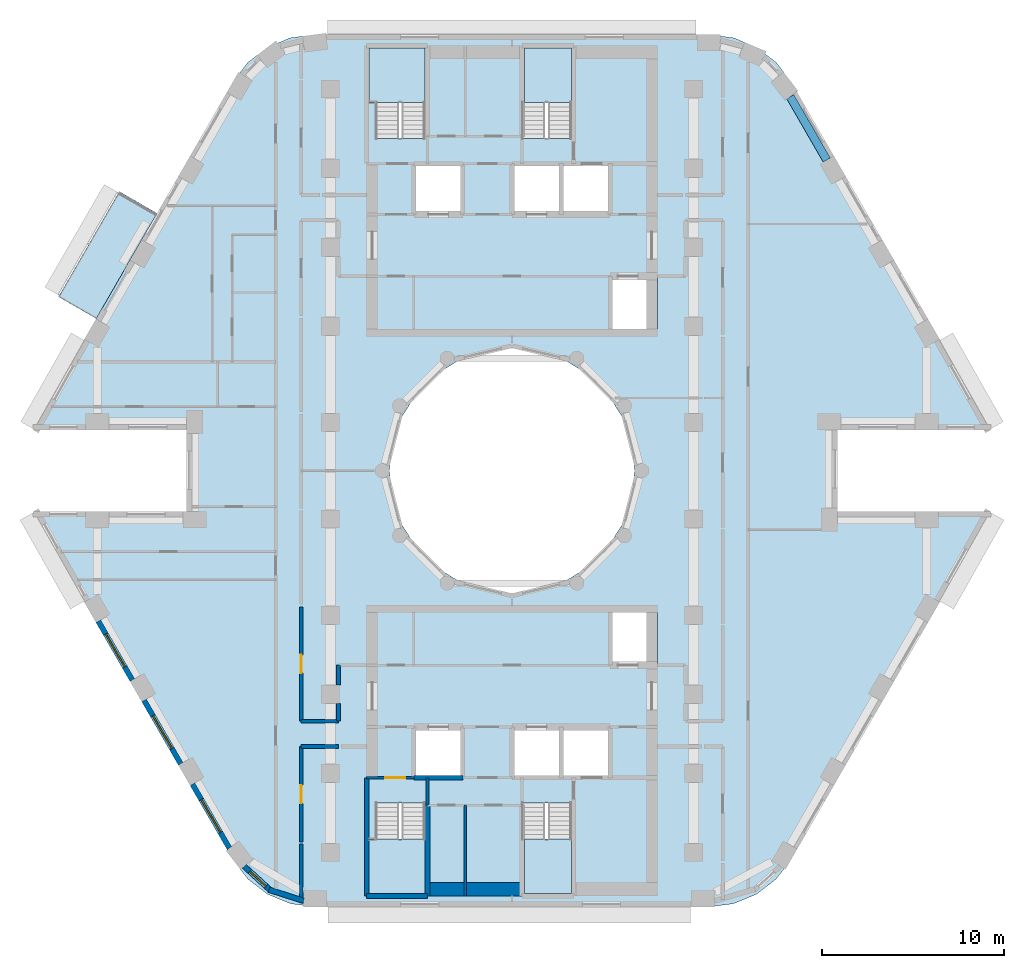
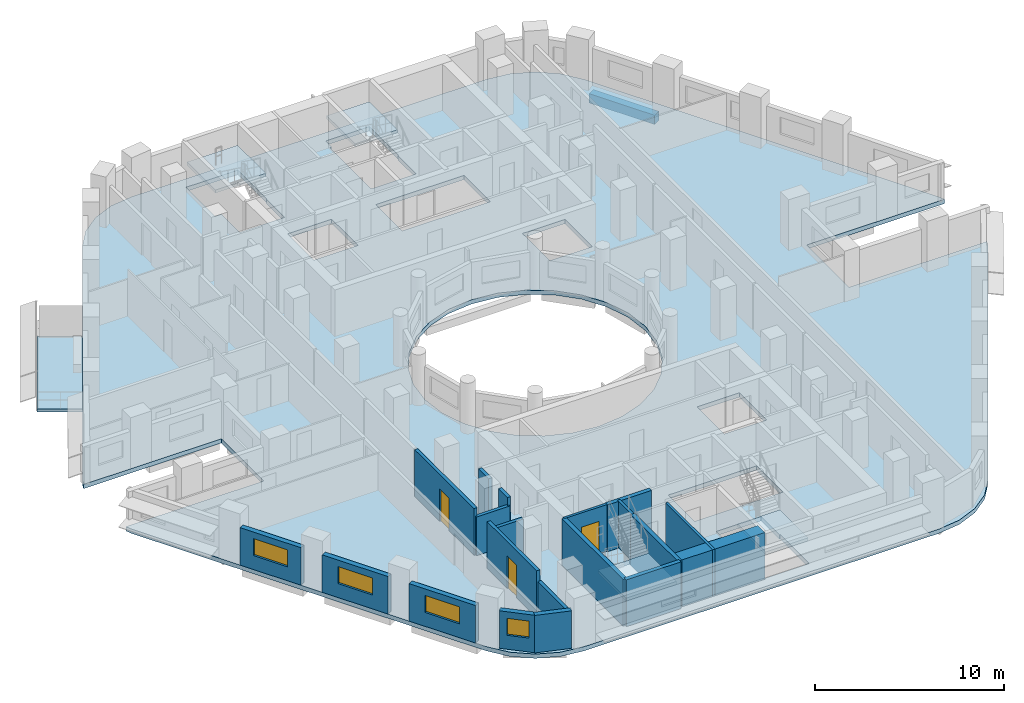
# One storey, part 2 of 13: 20 walls, 6 slabs, 4 windows, 3 doors, 1 beam, 7 openings, 4 elements without a shape of their own.
"""IFC4 building model written with IfcOpenShell, lengths in metres."""

import ifcopenshell
import ifcopenshell.guid

model = None  # the IFC model being written
_history = None  # IfcOwnerHistory: only IFC2X3 demands one
_inside = {}  # id of a spatial element -> (the spatial element, [elements in it])
_under = {}  # id of a project, library or spatial element -> (it, [spatial elements below it])
_declared = {}  # id of a project -> (the project, [libraries it declares])
_typed = {}  # id of a type object -> (the type object, [elements of that type])
_made_of = {}  # id of a material, layer set ... -> (it, [elements and type objects made of it])


def new_model(schema):
    """Start an empty IFC model of exactly this schema.

    Asked for "IFC4X3", IfcOpenShell would pick the latest addendum, in which some entities
    have other attributes; the version numbers below select the first issue.
    IFC2X3 requires an IfcOwnerHistory on every rooted entity: one is made here for all.
    """
    global model, _history
    if schema == "IFC4X3":
        model = ifcopenshell.file(schema_version=(4, 3, 0, 0))
    else:
        model = ifcopenshell.file(schema=schema)
    _inside.clear()
    _under.clear()
    _declared.clear()
    _typed.clear()
    _made_of.clear()
    _history = None
    if model.schema == "IFC2X3":
        org = make("IfcOrganization", Name="unknown")
        user = make(
            "IfcPersonAndOrganization",
            ThePerson=make("IfcPerson", FamilyName="unknown"),
            TheOrganization=org,
        )
        app = make(
            "IfcApplication",
            ApplicationDeveloper=org,
            Version="unknown",
            ApplicationFullName="unknown",
            ApplicationIdentifier="unknown",
        )
        _history = make(
            "IfcOwnerHistory",
            OwningUser=user,
            OwningApplication=app,
            ChangeAction="ADDED",
            CreationDate=0,
        )
    return model


def make(cls, **values):
    """One entity of the class cls with the attributes given. An attribute that is None is left unset."""
    return model.create_entity(
        cls, **{name: value for name, value in values.items() if value is not None}
    )


def rooted(cls, **values):
    """An entity with a GlobalId (a new one), such as an element, a storey or a relation."""
    return make(cls, GlobalId=ifcopenshell.guid.new(), OwnerHistory=_history, **values)


def si_unit(unit_type, name, prefix=None):
    """IfcSIUnit, for example si_unit("LENGTHUNIT", "METRE", prefix="MILLI")."""
    return make("IfcSIUnit", UnitType=unit_type, Prefix=prefix, Name=name)


def assignment(units):
    """IfcUnitAssignment: the units of a project."""
    return None if units is None else make("IfcUnitAssignment", Units=units)


def point(xyz):
    """IfcCartesianPoint."""
    return None if xyz is None else make("IfcCartesianPoint", Coordinates=xyz)


def direction(xyz):
    """IfcDirection."""
    return None if xyz is None else make("IfcDirection", DirectionRatios=xyz)


def frame(location, z_axis=None, x_axis=None):
    """IfcAxis2Placement3D, a coordinate frame: its origin and axes. An axis left out is left unset."""
    return make(
        "IfcAxis2Placement3D",
        Location=point(location),
        Axis=direction(z_axis),
        RefDirection=direction(x_axis),
    )


def frame_2d(location, x_axis=None):
    """IfcAxis2Placement2D, a coordinate frame in the plane: its origin and x axis."""
    return make(
        "IfcAxis2Placement2D", Location=point(location), RefDirection=direction(x_axis)
    )


def origin():
    """The frame at (0, 0, 0) with its axes left unset."""
    return frame((0.0, 0.0, 0.0))


def origin_2d():
    """The frame at (0, 0) in the plane with its x axis left unset."""
    return frame_2d((0.0, 0.0))


def place(relative_to, where):
    """IfcLocalPlacement: puts the frame where relative to a parent placement (None: the world)."""
    return make(
        "IfcLocalPlacement", PlacementRelTo=relative_to, RelativePlacement=where
    )


def context(
    kind, dimensions, precision=None, world=None, true_north=None, identifier=None
):
    """IfcGeometricRepresentationContext, for example the 3D "Model" context."""
    return make(
        "IfcGeometricRepresentationContext",
        ContextIdentifier=identifier,
        ContextType=kind,
        CoordinateSpaceDimension=dimensions,
        Precision=precision,
        WorldCoordinateSystem=world,
        TrueNorth=true_north,
    )


def subcontext(parent, identifier, kind, view, scale=None):
    """IfcGeometricRepresentationSubContext, for example "Body" below "Model"."""
    return make(
        "IfcGeometricRepresentationSubContext",
        ContextIdentifier=identifier,
        ContextType=kind,
        ParentContext=parent,
        TargetScale=scale,
        TargetView=view,
    )


def project(units=None, contexts=None):
    """IfcProject with its units and contexts."""
    return rooted(
        "IfcProject",
        Name="project",
        RepresentationContexts=contexts,
        UnitsInContext=assignment(units),
    )


def spatial(cls, under=None, at=None, **own):
    """A site, building, storey or space (cls), placed at a placement, below another one or the project."""
    s = rooted(cls, ObjectPlacement=at, **own)
    if under is not None:
        _under.setdefault(under.id(), (under, []))[1].append(s)
    return s


def polyline(points):
    """IfcPolyline through the points."""
    return make("IfcPolyline", Points=[point(p) for p in points])


def profile(cls, at=None, kind="AREA", **sizes):
    """A parametric profile (cls). Its sizes go by their IFC names, for example OverallWidth=200.0."""
    return make(cls, ProfileType=kind, Position=at, **sizes)


def rectangle(**sizes):
    """IfcRectangleProfileDef."""
    return profile("IfcRectangleProfileDef", **sizes)


def outline(outer, holes=None, kind="AREA"):
    """IfcArbitraryClosedProfileDef: a profile drawn as a closed curve; with holes, ...WithVoids."""
    if holes is None:
        return make("IfcArbitraryClosedProfileDef", ProfileType=kind, OuterCurve=outer)
    return make(
        "IfcArbitraryProfileDefWithVoids",
        ProfileType=kind,
        OuterCurve=outer,
        InnerCurves=holes,
    )


def extrude(swept, where, along, depth):
    """IfcExtrudedAreaSolid: the profile swept, set in the frame where, extruded along a direction by depth."""
    return make(
        "IfcExtrudedAreaSolid",
        SweptArea=swept,
        Position=where,
        ExtrudedDirection=direction(along),
        Depth=depth,
    )


def shape(context_of_items, identifier, shape_type, items):
    """IfcShapeRepresentation: the items that make up one representation, for example the "Body"."""
    return make(
        "IfcShapeRepresentation",
        ContextOfItems=context_of_items,
        RepresentationIdentifier=identifier,
        RepresentationType=shape_type,
        Items=items,
    )


def material(Name=None, Category=None):
    """IfcMaterial."""
    return make("IfcMaterial", Name=Name, Category=Category)


def layer(
    of_material, thickness, ventilated=None, Name=None, Category=None, Priority=None
):
    """IfcMaterialLayer: one layer of a wall or slab, of a material (None: an air gap)."""
    return make(
        "IfcMaterialLayer",
        Material=of_material,
        LayerThickness=thickness,
        IsVentilated=ventilated,
        Name=Name,
        Category=Category,
        Priority=Priority,
    )


def layer_set(layers, Name=None):
    """IfcMaterialLayerSet."""
    return make("IfcMaterialLayerSet", MaterialLayers=layers, LayerSetName=Name)


def material_profile(
    of_material, cross_section, Name=None, Category=None, Priority=None
):
    """IfcMaterialProfile: a cross section and its material."""
    return make(
        "IfcMaterialProfile",
        Name=Name,
        Material=of_material,
        Profile=cross_section,
        Priority=Priority,
        Category=Category,
    )


def profile_set(profiles, Name=None, composite=None):
    """IfcMaterialProfileSet."""
    return make(
        "IfcMaterialProfileSet",
        Name=Name,
        MaterialProfiles=profiles,
        CompositeProfile=composite,
    )


def made_of(thing, what):
    """Note that an element or type object is made of a material, layer set ...; save() writes the relation."""
    if what is not None:
        _made_of.setdefault(what.id(), (what, []))[1].append(thing)
    return thing


def type_object(cls, material=None, **own):
    """A type object (cls), such as IfcWallType, which elements share."""
    return made_of(rooted(cls, **own), material)


def element(
    cls,
    number,
    at=None,
    inside=None,
    cuts=None,
    type_object=None,
    material=None,
    context=None,
    identifier="Body",
    shape_type=None,
    held_by="IfcProductDefinitionShape",
    body=None,
    shapes=None,
    **own,
):
    """One element of the class cls, such as IfcWall. Its Tag is "e" and its number.

    at: its placement. inside: the storey or other place that contains it. cuts: it is an
    opening in that element (IfcRelVoidsElement). A single representation is given by context,
    identifier, shape_type and body (its items); several are given by shapes. held_by: the class
    of the entity that holds the representations. save() writes the other relations.
    """
    e = rooted(cls, Tag="e%d" % number, ObjectPlacement=at, **own)
    if body is not None:
        shapes = [shape(context, identifier, shape_type, body)]
    if shapes is not None:
        e.Representation = make(held_by, Representations=shapes)
    if inside is not None:
        _inside.setdefault(inside.id(), (inside, []))[1].append(e)
    if cuts is not None:
        rooted(
            "IfcRelVoidsElement", RelatingBuildingElement=cuts, RelatedOpeningElement=e
        )
    if type_object is not None:
        _typed.setdefault(type_object.id(), (type_object, []))[1].append(e)
    return made_of(e, material)


def fill(opening, filler):
    """IfcRelFillsElement: the door or window that sits in an opening."""
    return rooted(
        "IfcRelFillsElement",
        RelatingOpeningElement=opening,
        RelatedBuildingElement=filler,
    )


def aggregate(whole, parts):
    """IfcRelAggregates: a whole, such as a stair, and the parts it consists of."""
    return rooted("IfcRelAggregates", RelatingObject=whole, RelatedObjects=parts)


def save(model, path):
    """Write the relations noted so far, then the file.

    IfcRelAggregates (storeys below a building ...), IfcRelContainedInSpatialStructure (elements
    in a storey), IfcRelDefinesByType, IfcRelAssociatesMaterial and IfcRelDeclares: one each for
    every whole, place, type object, material and project.
    """
    for whole, parts in _under.values():
        aggregate(whole, parts)
    for where, things in _inside.values():
        rooted(
            "IfcRelContainedInSpatialStructure",
            RelatedElements=things,
            RelatingStructure=where,
        )
    for kind, things in _typed.values():
        rooted("IfcRelDefinesByType", RelatedObjects=things, RelatingType=kind)
    for what, things in _made_of.values():
        rooted("IfcRelAssociatesMaterial", RelatedObjects=things, RelatingMaterial=what)
    for by, libraries in _declared.values():
        rooted("IfcRelDeclares", RelatingContext=by, RelatedDefinitions=libraries)
    model.write(path)


model = new_model("IFC4")

# Units and contexts
model_context = context("Model", 3, precision=1e-05, world=origin(), true_north=direction((0.0, 1.0)))
body_context = subcontext(model_context, "Body", "Model", "MODEL_VIEW")
ifc_project = project(units=[si_unit("LENGTHUNIT", "METRE"), si_unit("AREAUNIT", "SQUARE_METRE"), si_unit("VOLUMEUNIT", "CUBIC_METRE"), si_unit("PLANEANGLEUNIT", "RADIAN"), si_unit("MASSUNIT", "GRAM", prefix="KILO")], contexts=[model_context])

# Site, building, storey
site_placement = place(None, origin())
site = spatial("IfcSite", under=ifc_project, at=site_placement, CompositionType="ELEMENT")
building_placement = place(site_placement, origin())
building = spatial("IfcBuilding", under=site, at=building_placement, Name="Nakaniwa Court", CompositionType="ELEMENT")
storey_placement = place(building_placement, frame((0.0, 0.0, 130.5)))
storey = spatial("IfcBuildingStorey", under=building, at=storey_placement, Name="L33", CompositionType="ELEMENT", Elevation=130.5)

# Beam
ifc_material_1 = material(Name="Concrete C80/100", Category="concrete")
ifc_material_profile = material_profile(ifc_material_1, rectangle(XDim=0.449951171875, YDim=0.60009765625, at=origin_2d()), Name="Concrete C80/100 RC 450x600 spandrel beam")
ifc_profile_set = profile_set([ifc_material_profile], Name="Concrete C80/100")
beam_type = type_object("IfcBeamType", Name="Concrete C80/100 RC 450x600 spandrel beam", PredefinedType="BEAM", material=ifc_profile_set)
beam_placement = place(storey_placement, frame((97.320556640625, 97.10009765625, -0.574951171875), z_axis=(-0.500018573463, 0.866014680125, 0.0), x_axis=(-0.866014680125, -0.500018573463, 0.0)))
element("IfcBeam", 1, at=beam_placement, inside=storey, type_object=beam_type, Name="SPANDREL BEAM", PredefinedType="BEAM", context=body_context, shape_type="SweptSolid", body=[
    extrude(rectangle(XDim=0.449951171875, YDim=0.60009765625, at=origin_2d()), origin(), (0.0, 0.0, 1.0), 4.020263671875),
])

# Slabs
ifc_material_2 = material(Name="Charcoal ceramic paver")
ifc_layer_1 = layer(ifc_material_2, 0.02, Name="Ceramic paver")
ifc_material_3 = material(Name="Cement sand screed")
ifc_layer_2 = layer(ifc_material_3, 0.03, Name="Falls screed")
ifc_material_4 = material(Name="Concrete C40/50", Category="concrete")
ifc_layer_3 = layer(ifc_material_4, 0.15, Name="Balcony slab")
ifc_layer_set_1 = layer_set([ifc_layer_1, ifc_layer_2, ifc_layer_3], Name="Concrete C40/50 balcony slab with ceramic paver finish")
slab_type_1 = type_object("IfcSlabType", Name="Balcony slab 200", PredefinedType="FLOOR", material=ifc_layer_set_1)
slab_1_placement = place(storey_placement, frame((0.0, 0.0, -0.25)))
element("IfcSlab", 2, at=slab_1_placement, inside=storey, type_object=slab_type_1, Name="L33 balcony 01", PredefinedType="FLOOR", context=body_context, shape_type="SweptSolid", body=[
    extrude(outline(polyline([(60.466796875, 94.16748046875), (57.12255859375, 88.375), (55.044189453125, 89.574951171875), (58.38818359375, 95.36767578125), (60.466796875, 94.16748046875)])), origin(), (0.0, 0.0, 1.0), 0.199951171875),
])
ifc_layer_4 = layer(ifc_material_1, 0.27490234375)
ifc_layer_set_2 = layer_set([ifc_layer_4], Name="Concrete C80/100")
slab_type_2 = type_object("IfcSlabType", Name="Concrete C80/100 post tensioned floor slab 275", PredefinedType="FLOOR", material=ifc_layer_set_2)
slab_2_placement = place(storey_placement, frame((0.0, 0.0, -0.27490234375)))
element("IfcSlab", 3, at=slab_2_placement, inside=storey, type_object=slab_type_2, Name="FLOOR SLAB", PredefinedType="FLOOR", context=body_context, shape_type="SweptSolid", body=[
    extrude(outline(polyline([(97.908447265625, 82.25), (106.356689453125, 82.25), (106.211669921875, 82.60009765625), (95.357421875, 101.39990234375), (94.531005859375, 102.47705078125), (93.4541015625, 103.30322265625), (92.199951171875, 103.82275390625), (90.854248046875, 104.0), (69.145751953125, 104.0), (67.800048828125, 103.82275390625), (66.5458984375, 103.30322265625), (65.468994140625, 102.47705078125), (64.642578125, 101.39990234375), (53.788330078125, 82.60009765625), (53.643310546875, 82.25), (62.091552734375, 82.25), (62.091552734375, 77.75), (53.643310546875, 77.75), (53.788330078125, 77.39990234375), (64.642578125, 58.60009765625), (65.468994140625, 57.52294921875), (66.5458984375, 56.69677734375), (67.800048828125, 56.17724609375), (69.145751953125, 56.0), (90.854248046875, 56.0), (92.199951171875, 56.17724609375), (93.4541015625, 56.69677734375), (94.531005859375, 57.52294921875), (95.357421875, 58.60009765625), (106.211669921875, 77.39990234375), (106.356689453125, 77.75), (97.908447265625, 77.75), (97.908447265625, 82.25)]), holes=[polyline([(81.501953125, 86.580810546875), (80.0, 86.75), (78.498046875, 86.580810546875), (77.0712890625, 86.08154296875), (75.79150390625, 85.27734375), (74.72265625, 84.20849609375), (73.91845703125, 82.9287109375), (73.419189453125, 81.501953125), (73.25, 80.0), (73.419189453125, 78.498046875), (73.91845703125, 77.0712890625), (74.72265625, 75.79150390625), (75.79150390625, 74.72265625), (77.0712890625, 73.91845703125), (78.498046875, 73.419189453125), (80.0, 73.25), (81.501953125, 73.419189453125), (82.9287109375, 73.91845703125), (84.20849609375, 74.72265625), (85.27734375, 75.79150390625), (86.08154296875, 77.0712890625), (86.580810546875, 78.498046875), (86.75, 80.0), (86.580810546875, 81.501953125), (86.08154296875, 82.9287109375), (85.27734375, 84.20849609375), (84.20849609375, 85.27734375), (82.9287109375, 86.08154296875), (81.501953125, 86.580810546875)]), polyline([(72.47509765625, 61.7099609375), (72.47509765625, 59.764892578125), (72.0849609375, 59.764892578125), (72.0849609375, 56.68505859375), (75.264892578125, 56.68505859375), (75.264892578125, 59.764892578125), (75.22509765625, 59.764892578125), (75.22509765625, 61.7099609375), (72.47509765625, 61.7099609375)]), polyline([(77.300048828125, 65.89990234375), (74.60009765625, 65.89990234375), (74.60009765625, 63.10009765625), (77.300048828125, 63.10009765625), (77.300048828125, 65.89990234375)]), polyline([(80.0, 65.89990234375), (80.0, 63.10009765625), (82.699951171875, 63.10009765625), (85.39990234375, 63.10009765625), (85.39990234375, 65.89990234375), (82.699951171875, 65.89990234375), (80.0, 65.89990234375)]), polyline([(77.300048828125, 96.89990234375), (74.60009765625, 96.89990234375), (74.60009765625, 94.10009765625), (77.300048828125, 94.10009765625), (77.300048828125, 96.89990234375)]), polyline([(80.0, 96.89990234375), (80.0, 94.10009765625), (82.699951171875, 94.10009765625), (85.39990234375, 94.10009765625), (85.39990234375, 96.89990234375), (82.699951171875, 96.89990234375), (80.0, 96.89990234375)]), polyline([(75.264892578125, 100.235107421875), (75.264892578125, 103.31494140625), (72.0849609375, 103.31494140625), (72.0849609375, 100.235107421875), (72.47509765625, 100.235107421875), (72.47509765625, 98.2900390625), (75.22509765625, 98.2900390625), (75.22509765625, 100.235107421875), (75.264892578125, 100.235107421875)]), polyline([(83.27490234375, 61.7099609375), (80.52490234375, 61.7099609375), (80.52490234375, 57.324951171875), (80.635009765625, 57.324951171875), (80.635009765625, 56.68505859375), (83.31494140625, 56.68505859375), (83.31494140625, 59.764892578125), (83.27490234375, 59.764892578125), (83.27490234375, 61.7099609375)]), polyline([(88.0, 72.199951171875), (85.39990234375, 72.199951171875), (85.39990234375, 69.300048828125), (88.0, 69.300048828125), (88.0, 72.199951171875)]), polyline([(88.0, 90.699951171875), (85.39990234375, 90.699951171875), (85.39990234375, 87.800048828125), (88.0, 87.800048828125), (88.0, 90.699951171875)]), polyline([(83.31494140625, 100.235107421875), (83.31494140625, 103.31494140625), (80.635009765625, 103.31494140625), (80.635009765625, 102.675048828125), (80.52490234375, 102.675048828125), (80.52490234375, 98.2900390625), (83.27490234375, 98.2900390625), (83.27490234375, 100.235107421875), (83.31494140625, 100.235107421875)])]), origin(), (0.0, 0.0, 1.0), 0.27490234375),
])

# Stair, slab
stair_type = type_object("IfcStairType", Name="Dog leg stair 1300 wide 18 risers", PredefinedType="HALF_TURN_STAIR", material=ifc_material_1)
stair_1_placement = place(storey_placement, origin())
stair_1 = element("IfcStair", 4, at=stair_1_placement, inside=storey, type_object=stair_type, Name="L33 Stair ST1", PredefinedType="HALF_TURN_STAIR")
ifc_layer_5 = layer(ifc_material_1, 0.199951171875)
ifc_layer_set_3 = layer_set([ifc_layer_5], Name="Concrete C80/100")
slab_type_3 = type_object("IfcSlabType", Name="Stair landing concrete", PredefinedType="LANDING", material=ifc_layer_set_3)
slab_3_placement = place(storey_placement, frame((0.0, 0.0, 1.449951171875)))
slab_3 = element("IfcSlab", 5, at=slab_3_placement, type_object=slab_type_3, Name="ST1 landing 1", PredefinedType="LANDING", context=body_context, shape_type="SweptSolid", body=[
    extrude(outline(polyline([(75.22509765625, 100.27490234375), (75.22509765625, 103.27490234375), (72.125, 103.27490234375), (72.125, 100.27490234375), (75.22509765625, 100.27490234375)])), origin(), (0.0, 0.0, 1.0), 0.199951171875),
])
aggregate(stair_1, [slab_3])

stair_2_placement = place(storey_placement, origin())
stair_2 = element("IfcStair", 6, at=stair_2_placement, inside=storey, type_object=stair_type, Name="L33 Stair ST2", PredefinedType="HALF_TURN_STAIR")
slab_4_placement = place(storey_placement, frame((0.0, 0.0, 1.449951171875)))
slab_4 = element("IfcSlab", 7, at=slab_4_placement, type_object=slab_type_3, Name="ST2 landing 1", PredefinedType="LANDING", context=body_context, shape_type="SweptSolid", body=[
    extrude(outline(polyline([(83.27490234375, 100.27490234375), (83.27490234375, 103.27490234375), (80.675048828125, 103.27490234375), (80.675048828125, 100.27490234375), (83.27490234375, 100.27490234375)])), origin(), (0.0, 0.0, 1.0), 0.199951171875),
])
aggregate(stair_2, [slab_4])

stair_3_placement = place(storey_placement, origin())
stair_3 = element("IfcStair", 8, at=stair_3_placement, inside=storey, type_object=stair_type, Name="L33 Stair ST3", PredefinedType="HALF_TURN_STAIR")
slab_5_placement = place(storey_placement, frame((0.0, 0.0, 1.449951171875)))
slab_5 = element("IfcSlab", 9, at=slab_5_placement, type_object=slab_type_3, Name="ST3 landing 1", PredefinedType="LANDING", context=body_context, shape_type="SweptSolid", body=[
    extrude(outline(polyline([(75.22509765625, 56.72509765625), (75.22509765625, 59.72509765625), (72.125, 59.72509765625), (72.125, 56.72509765625), (75.22509765625, 56.72509765625)])), origin(), (0.0, 0.0, 1.0), 0.199951171875),
])
aggregate(stair_3, [slab_5])

stair_4_placement = place(storey_placement, origin())
stair_4 = element("IfcStair", 10, at=stair_4_placement, inside=storey, type_object=stair_type, Name="L33 Stair ST4", PredefinedType="HALF_TURN_STAIR")
slab_6_placement = place(storey_placement, frame((0.0, 0.0, 1.449951171875)))
slab_6 = element("IfcSlab", 11, at=slab_6_placement, type_object=slab_type_3, Name="ST4 landing 1", PredefinedType="LANDING", context=body_context, shape_type="SweptSolid", body=[
    extrude(outline(polyline([(83.27490234375, 56.72509765625), (83.27490234375, 59.72509765625), (80.675048828125, 59.72509765625), (80.675048828125, 56.72509765625), (83.27490234375, 56.72509765625)])), origin(), (0.0, 0.0, 1.0), 0.199951171875),
])
aggregate(stair_4, [slab_6])

# Walls
ifc_material_5 = material(Name="Acoustic double stud partition")
ifc_layer_6 = layer(ifc_material_5, 0.199951171875)
ifc_layer_set_4 = layer_set([ifc_layer_6], Name="Acoustic double stud partition")
wall_type_1 = type_object("IfcWallType", Name="Acoustic double stud partition 200", PredefinedType="PARTITIONING", material=ifc_layer_set_4)
wall_1_placement = place(storey_placement, frame((68.39990234375, 64.824951171875, 0.0), z_axis=(0.0, 0.0, 1.0), x_axis=(1.0, 0.0, 0.0)))
element("IfcWall", 12, at=wall_1_placement, inside=storey, type_object=wall_type_1, Name="Partition PW-073", PredefinedType="PARTITIONING", context=body_context, shape_type="SweptSolid", body=[
    extrude(rectangle(XDim=2.06298828125, YDim=0.199951171875, at=frame_2d((1.031494140625, 0.0))), origin(), (0.0, 0.0, 1.0), 2.5048828125),
])
wall_2_placement = place(storey_placement, frame((68.39990234375, 66.22509765625, 0.0), z_axis=(0.0, 0.0, 1.0), x_axis=(1.0, 0.0, 0.0)))
element("IfcWall", 13, at=wall_2_placement, inside=storey, type_object=wall_type_1, Name="Partition PW-084", PredefinedType="PARTITIONING", context=body_context, shape_type="SweptSolid", body=[
    extrude(rectangle(XDim=2.050048828125, YDim=0.199951171875, at=frame_2d((1.02490234375, 0.0))), origin(), (0.0, 0.0, 1.0), 2.5048828125),
])
wall_3_placement = place(storey_placement, frame((68.39990234375, 56.40087890625, 0.0), z_axis=(0.0, 0.0, 1.0), x_axis=(0.0, 1.0, 0.0)))
element("IfcWall", 14, at=wall_3_placement, inside=storey, type_object=wall_type_1, Name="Partition PW-094", PredefinedType="PARTITIONING", context=body_context, shape_type="SweptSolid", body=[
    extrude(rectangle(XDim=3.06201171875, YDim=0.199951171875, at=frame_2d((1.531005859375, 0.0))), origin(), (0.0, 0.0, 1.0), 2.405029296875),
])

# Wall, opening, door
wall_4_placement = place(storey_placement, frame((68.39990234375, 64.824951171875, 0.0), z_axis=(0.0, 0.0, 1.0), x_axis=(0.0, -1.0, 0.0)))
wall_4 = element("IfcWall", 15, at=wall_4_placement, inside=storey, type_object=wall_type_1, Name="Partition PW-095", PredefinedType="PARTITIONING", context=body_context, shape_type="SweptSolid", body=[
    extrude(rectangle(XDim=5.247802734375, YDim=0.199951171875, at=frame_2d((2.6240234375, 0.0))), origin(), (0.0, 0.0, 1.0), 3.02490234375),
])
opening_1_placement = place(wall_4_placement, frame((2.123046875, 0.0, 0.0)))
opening_1 = element("IfcOpeningElement", 16, at=opening_1_placement, cuts=wall_4, Name="Opening D-02-06", PredefinedType="OPENING", context=body_context, shape_type="SweptSolid", body=[
    extrude(rectangle(XDim=1.0, YDim=2.10009765625, at=frame_2d((0.5, 1.050048828125))), frame((0.0, 0.10986328125, 0.0), z_axis=(0.0, -1.0, 0.0), x_axis=(1.0, 0.0, 0.0)), (0.0, 0.0, 1.0), 0.219970703125),
])
ifc_material_6 = material(Name="Solid core timber door set, black veneer", Category="wood")
door_type_1 = type_object("IfcDoorType", Name="Internal door 1000", OperationType="NOTDEFINED", PredefinedType="DOOR", material=ifc_material_6)
door_1_placement = place(opening_1_placement, origin())
door_1 = element("IfcDoor", 17, at=door_1_placement, inside=storey, type_object=door_type_1, Name="Door D-02-06 L33-026", OperationType="SINGLE_SWING_LEFT", OverallHeight=2.10009765625, OverallWidth=1.0, PredefinedType="DOOR", context=body_context, shape_type="SweptSolid", body=[
    extrude(rectangle(XDim=1.0, YDim=2.10009765625, at=frame_2d((0.5, 1.050048828125))), frame((0.0, 0.02490234375, 0.0), z_axis=(0.0, -1.0, 0.0), x_axis=(1.0, 0.0, 0.0)), (0.0, 0.0, 1.0), 0.050048828125),
])
fill(opening_1, door_1)

wall_5_placement = place(storey_placement, frame((68.39990234375, 72.5126953125, 0.0), z_axis=(0.0, 0.0, 1.0), x_axis=(0.0, -1.0, 0.0)))
wall_5 = element("IfcWall", 18, at=wall_5_placement, inside=storey, type_object=wall_type_1, Name="Partition PW-096", PredefinedType="PARTITIONING", context=body_context, shape_type="SweptSolid", body=[
    extrude(rectangle(XDim=6.28759765625, YDim=0.199951171875, at=frame_2d((3.143798828125, 0.0))), origin(), (0.0, 0.0, 1.0), 3.02490234375),
])
opening_2_placement = place(wall_5_placement, frame((2.64501953125, 0.0, 0.0)))
opening_2 = element("IfcOpeningElement", 19, at=opening_2_placement, cuts=wall_5, Name="Opening D-02-08", PredefinedType="OPENING", context=body_context, shape_type="SweptSolid", body=[
    extrude(rectangle(XDim=1.0, YDim=2.10009765625, at=frame_2d((0.5, 1.050048828125))), frame((0.0, 0.10986328125, 0.0), z_axis=(0.0, -1.0, 0.0), x_axis=(1.0, 0.0, 0.0)), (0.0, 0.0, 1.0), 0.219970703125),
])
door_2_placement = place(opening_2_placement, origin())
door_2 = element("IfcDoor", 20, at=door_2_placement, inside=storey, type_object=door_type_1, Name="Door D-02-08 L33-028", OperationType="SINGLE_SWING_LEFT", OverallHeight=2.10009765625, OverallWidth=1.0, PredefinedType="DOOR", context=body_context, shape_type="SweptSolid", body=[
    extrude(rectangle(XDim=1.0, YDim=2.10009765625, at=frame_2d((0.5, 1.050048828125))), frame((0.0, 0.02490234375, 0.0), z_axis=(0.0, -1.0, 0.0), x_axis=(1.0, 0.0, 0.0)), (0.0, 0.0, 1.0), 0.050048828125),
])
fill(opening_2, door_2)

# Walls
wall_6_placement = place(storey_placement, frame((70.449951171875, 66.22509765625, 0.0), z_axis=(0.0, 0.0, 1.0), x_axis=(0.0, 1.0, 0.0)))
element("IfcWall", 21, at=wall_6_placement, inside=storey, type_object=wall_type_1, Name="Partition PW-104", PredefinedType="PARTITIONING", context=body_context, shape_type="SweptSolid", body=[
    extrude(rectangle(XDim=0.957763671875, YDim=0.199951171875, at=frame_2d((0.47900390625, 0.0))), origin(), (0.0, 0.0, 1.0), 3.02490234375),
])
wall_7_placement = place(storey_placement, frame((70.449951171875, 68.21728515625, 0.0), z_axis=(0.0, 0.0, 1.0), x_axis=(0.0, 1.0, 0.0)))
element("IfcWall", 22, at=wall_7_placement, inside=storey, type_object=wall_type_1, Name="Partition PW-105", PredefinedType="PARTITIONING", context=body_context, shape_type="SweptSolid", body=[
    extrude(rectangle(XDim=1.082763671875, YDim=0.199951171875, at=frame_2d((0.54150390625, 0.0))), origin(), (0.0, 0.0, 1.0), 3.02490234375),
])

# Wall, opening, window
ifc_material_7 = material(Name="Charcoal ceramic cladding")
ifc_layer_7 = layer(ifc_material_7, 0.02, Name="Ceramic cladding")
ifc_material_8 = material(Name="Ventilated air cavity")
ifc_layer_8 = layer(ifc_material_8, 0.04, ventilated=True, Name="Ventilated cavity")
ifc_material_9 = material(Name="Mineral wool insulation")
ifc_layer_9 = layer(ifc_material_9, 0.1, Name="Insulation")
ifc_material_10 = material(Name="Cement bonded sheathing board")
ifc_layer_10 = layer(ifc_material_10, 0.012, Name="Sheathing")
ifc_material_11 = material(Name="Cold-formed galvanised stud frame with mineral wool infill")
ifc_layer_11 = layer(ifc_material_11, 0.1, Name="Stud frame")
ifc_material_12 = material(Name="Fire-rated gypsum plasterboard lining")
ifc_layer_12 = layer(ifc_material_12, 0.028, Name="Lining")
ifc_layer_set_5 = layer_set([ifc_layer_7, ifc_layer_8, ifc_layer_9, ifc_layer_10, ifc_layer_11, ifc_layer_12], Name="Charcoal ceramic faced external wall system")
wall_type_2 = type_object("IfcWallType", Name="Black ceramic faced external wall 300", PredefinedType="SOLIDWALL", material=ifc_layer_set_5)
wall_8_placement = place(storey_placement, frame((57.240478515625, 71.720947265625, 0.0), z_axis=(0.0, 0.0, 1.0), x_axis=(0.499933594891, -0.866063739398, 0.0)))
wall_8 = element("IfcWall", 23, at=wall_8_placement, inside=storey, type_object=wall_type_2, Name="L33 external wall 21", PredefinedType="SOLIDWALL", context=body_context, shape_type="SweptSolid", body=[
    extrude(rectangle(XDim=3.73681640625, YDim=0.300048828125, at=frame_2d((1.868408203125, 0.0))), origin(), (0.0, 0.0, 1.0), 2.425048828125),
])
opening_3_placement = place(wall_8_placement, frame((0.818359375, 0.0, 0.89990234375)))
opening_3 = element("IfcOpeningElement", 24, at=opening_3_placement, cuts=wall_8, Name="Opening W7.23", PredefinedType="OPENING", context=body_context, shape_type="SweptSolid", body=[
    extrude(rectangle(XDim=2.10009765625, YDim=1.10009765625, at=frame_2d((1.050048828125, 0.550048828125))), frame((0.0, 0.159912109375, 0.0), z_axis=(0.0, -1.0, 0.0), x_axis=(1.0, 0.0, 0.0)), (0.0, 0.0, 1.0), 0.320068359375),
])
ifc_material_13 = material(Name="Black anodised aluminium frame with dark low-E laminated double glazing", Category="aluminium")
window_type_1 = type_object("IfcWindowType", Name="Dark glass window 2100x1100 sill 900", PartitioningType="SINGLE_PANEL", PredefinedType="WINDOW", material=ifc_material_13)
window_1_placement = place(opening_3_placement, origin())
window_1 = element("IfcWindow", 25, at=window_1_placement, inside=storey, type_object=window_type_1, Name="L33 habitable room window 21-0", OverallHeight=1.10009765625, OverallWidth=2.10009765625, PartitioningType="SINGLE_PANEL", PredefinedType="WINDOW", context=body_context, shape_type="SweptSolid", body=[
    extrude(rectangle(XDim=2.10009765625, YDim=1.10009765625, at=frame_2d((1.050048828125, 0.550048828125))), frame((0.0, 0.030029296875, 0.0), z_axis=(0.0, -1.0, 0.0), x_axis=(1.0, 0.0, 0.0)), (0.0, 0.0, 1.0), 0.06005859375),
])
fill(opening_3, window_1)

wall_9_placement = place(storey_placement, frame((59.754638671875, 67.36572265625, 0.0), z_axis=(0.0, 0.0, 1.0), x_axis=(0.500031546601, -0.86600718958, 0.0)))
wall_9 = element("IfcWall", 26, at=wall_9_placement, inside=storey, type_object=wall_type_2, Name="L33 external wall 22", PredefinedType="SOLIDWALL", context=body_context, shape_type="SweptSolid", body=[
    extrude(rectangle(XDim=4.033935546875, YDim=0.300048828125, at=frame_2d((2.01708984375, 0.0))), origin(), (0.0, 0.0, 1.0), 2.425048828125),
])
opening_4_placement = place(wall_9_placement, frame((0.966796875, 0.0, 0.89990234375)))
opening_4 = element("IfcOpeningElement", 27, at=opening_4_placement, cuts=wall_9, Name="Opening W7.24", PredefinedType="OPENING", context=body_context, shape_type="SweptSolid", body=[
    extrude(rectangle(XDim=2.10009765625, YDim=1.10009765625, at=frame_2d((1.050048828125, 0.550048828125))), frame((0.0, 0.159912109375, 0.0), z_axis=(0.0, -1.0, 0.0), x_axis=(1.0, 0.0, 0.0)), (0.0, 0.0, 1.0), 0.320068359375),
])
window_2_placement = place(opening_4_placement, origin())
window_2 = element("IfcWindow", 28, at=window_2_placement, inside=storey, type_object=window_type_1, Name="L33 habitable room window 22-0", OverallHeight=1.10009765625, OverallWidth=2.10009765625, PartitioningType="SINGLE_PANEL", PredefinedType="WINDOW", context=body_context, shape_type="SweptSolid", body=[
    extrude(rectangle(XDim=2.10009765625, YDim=1.10009765625, at=frame_2d((1.050048828125, 0.550048828125))), frame((0.0, 0.030029296875, 0.0), z_axis=(0.0, -1.0, 0.0), x_axis=(1.0, 0.0, 0.0)), (0.0, 0.0, 1.0), 0.06005859375),
])
fill(opening_4, window_2)

wall_10_placement = place(storey_placement, frame((62.417724609375, 62.75341796875, 0.0), z_axis=(0.0, 0.0, 1.0), x_axis=(0.500018589245, -0.866014671013, 0.0)))
wall_10 = element("IfcWall", 29, at=wall_10_placement, inside=storey, type_object=wall_type_2, Name="L33 external wall 23", PredefinedType="SOLIDWALL", context=body_context, shape_type="SweptSolid", body=[
    extrude(rectangle(XDim=4.067626953125, YDim=0.300048828125, at=frame_2d((2.03369140625, 0.0))), origin(), (0.0, 0.0, 1.0), 2.425048828125),
])
opening_5_placement = place(wall_10_placement, frame((0.97265625, 0.0, 0.89990234375)))
opening_5 = element("IfcOpeningElement", 30, at=opening_5_placement, cuts=wall_10, Name="Opening W7.25", PredefinedType="OPENING", context=body_context, shape_type="SweptSolid", body=[
    extrude(rectangle(XDim=2.10009765625, YDim=1.10009765625, at=frame_2d((1.050048828125, 0.550048828125))), frame((0.0, 0.159912109375, 0.0), z_axis=(0.0, -1.0, 0.0), x_axis=(1.0, 0.0, 0.0)), (0.0, 0.0, 1.0), 0.320068359375),
])
window_3_placement = place(opening_5_placement, origin())
window_3 = element("IfcWindow", 31, at=window_3_placement, inside=storey, type_object=window_type_1, Name="L33 habitable room window 23-0", OverallHeight=1.10009765625, OverallWidth=2.10009765625, PartitioningType="SINGLE_PANEL", PredefinedType="WINDOW", context=body_context, shape_type="SweptSolid", body=[
    extrude(rectangle(XDim=2.10009765625, YDim=1.10009765625, at=frame_2d((1.050048828125, 0.550048828125))), frame((0.0, 0.030029296875, 0.0), z_axis=(0.0, -1.0, 0.0), x_axis=(1.0, 0.0, 0.0)), (0.0, 0.0, 1.0), 0.06005859375),
])
fill(opening_5, window_3)

wall_11_placement = place(storey_placement, frame((65.26904296875, 58.229248046875, 0.0), z_axis=(0.0, 0.0, 1.0), x_axis=(0.737487298625, -0.675361002995, 0.0)))
wall_11 = element("IfcWall", 32, at=wall_11_placement, inside=storey, type_object=wall_type_2, Name="L33 external wall 24", PredefinedType="SOLIDWALL", context=body_context, shape_type="SweptSolid", body=[
    extrude(rectangle(XDim=1.9765625, YDim=0.300048828125, at=frame_2d((0.98828125, 0.0))), origin(), (0.0, 0.0, 1.0), 2.425048828125),
])
opening_6_placement = place(wall_11_placement, frame((0.41552734375, 0.0, 0.89990234375)))
opening_6 = element("IfcOpeningElement", 33, at=opening_6_placement, cuts=wall_11, Name="Opening W6.26", PredefinedType="OPENING", context=body_context, shape_type="SweptSolid", body=[
    extrude(rectangle(XDim=1.199951171875, YDim=1.10009765625, at=frame_2d((0.60009765625, 0.550048828125))), frame((0.0, 0.159912109375, 0.0), z_axis=(0.0, -1.0, 0.0), x_axis=(1.0, 0.0, 0.0)), (0.0, 0.0, 1.0), 0.320068359375),
])
window_type_2 = type_object("IfcWindowType", Name="Dark glass window 1200x1100 sill 900", PartitioningType="SINGLE_PANEL", PredefinedType="WINDOW", material=ifc_material_13)
window_4_placement = place(opening_6_placement, origin())
window_4 = element("IfcWindow", 34, at=window_4_placement, inside=storey, type_object=window_type_2, Name="L33 habitable room window 24-0", OverallHeight=1.10009765625, OverallWidth=1.199951171875, PartitioningType="SINGLE_PANEL", PredefinedType="WINDOW", context=body_context, shape_type="SweptSolid", body=[
    extrude(rectangle(XDim=1.199951171875, YDim=1.10009765625, at=frame_2d((0.60009765625, 0.550048828125))), frame((0.0, 0.030029296875, 0.0), z_axis=(0.0, -1.0, 0.0), x_axis=(1.0, 0.0, 0.0)), (0.0, 0.0, 1.0), 0.06005859375),
])
fill(opening_6, window_4)

# Walls
wall_12_placement = place(storey_placement, frame((66.625732421875, 56.94580078125, 0.0), z_axis=(0.0, 0.0, 1.0), x_axis=(0.952201240673, -0.305471434444, 0.0)))
element("IfcWall", 35, at=wall_12_placement, inside=storey, type_object=wall_type_2, Name="L33 external wall 25", PredefinedType="SOLIDWALL", context=body_context, shape_type="SweptSolid", body=[
    extrude(rectangle(XDim=1.998779296875, YDim=0.300048828125, at=frame_2d((0.99951171875, 0.0))), origin(), (0.0, 0.0, 1.0), 2.425048828125),
])
ifc_material_14 = material(Name="Blockwork partition", Category="masonry")
ifc_layer_13 = layer(ifc_material_14, 0.14990234375)
ifc_layer_set_6 = layer_set([ifc_layer_13], Name="Blockwork partition")
wall_type_3 = type_object("IfcWallType", Name="Blockwork partition 150", PredefinedType="PARTITIONING", material=ifc_layer_set_6)
wall_13_placement = place(storey_placement, frame((77.429931640625, 56.60009765625, 0.0), z_axis=(0.0, 0.0, 1.0), x_axis=(0.0, 1.0, 0.0)))
element("IfcWall", 36, at=wall_13_placement, inside=storey, type_object=wall_type_3, Name="Partition PW-064", PredefinedType="PARTITIONING", context=body_context, shape_type="SweptSolid", body=[
    extrude(rectangle(XDim=5.0, YDim=0.14990234375, at=frame_2d((2.5, 0.0))), origin(), (0.0, 0.0, 1.0), 3.02490234375),
])

# Wall, opening, door
ifc_layer_14 = layer(ifc_material_1, 0.14990234375)
ifc_layer_set_7 = layer_set([ifc_layer_14], Name="Concrete C80/100")
wall_type_4 = type_object("IfcWallType", Name="Concrete core wall 150 C80", PredefinedType="SHEAR", material=ifc_layer_set_7)
wall_14_placement = place(storey_placement, frame((72.0, 63.10009765625, -0.27490234375), z_axis=(0.0, 0.0, 1.0), x_axis=(1.0, 0.0, 0.0)))
wall_14 = element("IfcWall", 37, at=wall_14_placement, inside=storey, type_object=wall_type_4, Name="Core wall SW-46", PredefinedType="SHEAR", context=body_context, shape_type="SweptSolid", body=[
    extrude(rectangle(XDim=2.60009765625, YDim=0.14990234375, at=frame_2d((1.300048828125, 0.0))), origin(), (0.0, 0.0, 1.0), 3.2998046875),
])
opening_7_placement = place(wall_14_placement, frame((1.02001953125, 0.0, 0.27490234375)))
opening_7 = element("IfcOpeningElement", 38, at=opening_7_placement, cuts=wall_14, Name="Opening D-09-02", PredefinedType="OPENING", context=body_context, shape_type="SweptSolid", body=[
    extrude(rectangle(XDim=1.10009765625, YDim=2.10009765625, at=frame_2d((0.550048828125, 1.050048828125))), frame((0.0, 0.0849609375, 0.0), z_axis=(0.0, -1.0, 0.0), x_axis=(1.0, 0.0, 0.0)), (0.0, 0.0, 1.0), 0.169921875),
])
ifc_material_15 = material(Name="Fire rated steel door set", Category="steel")
door_type_2 = type_object("IfcDoorType", Name="Stair door 1100", OperationType="NOTDEFINED", PredefinedType="DOOR", material=ifc_material_15)
door_3_placement = place(opening_7_placement, origin())
door_3 = element("IfcDoor", 39, at=door_3_placement, inside=storey, type_object=door_type_2, Name="Door D-09-02 L33-019", OperationType="SINGLE_SWING_LEFT", OverallHeight=2.10009765625, OverallWidth=1.10009765625, PredefinedType="DOOR", context=body_context, shape_type="SweptSolid", body=[
    extrude(rectangle(XDim=1.10009765625, YDim=2.10009765625, at=frame_2d((0.550048828125, 1.050048828125))), frame((0.0, 0.02490234375, 0.0), z_axis=(0.0, -1.0, 0.0), x_axis=(1.0, 0.0, 0.0)), (0.0, 0.0, 1.0), 0.050048828125),
])
fill(opening_7, door_3)

# Walls
wall_15_placement = place(storey_placement, frame((75.35009765625, 61.596923828125, -0.27490234375), z_axis=(0.0, 0.0, 1.0), x_axis=(0.0, 1.0, 0.0)))
element("IfcWall", 40, at=wall_15_placement, inside=storey, type_object=wall_type_4, Name="Core wall SW-53", PredefinedType="SHEAR", context=body_context, shape_type="SweptSolid", body=[
    extrude(rectangle(XDim=1.503173828125, YDim=0.14990234375, at=frame_2d((0.75146484375, 0.0))), origin(), (0.0, 0.0, 1.0), 3.2998046875),
])
ifc_layer_15 = layer(ifc_material_1, 0.25)
ifc_layer_set_8 = layer_set([ifc_layer_15], Name="Concrete C80/100")
wall_type_5 = type_object("IfcWallType", Name="Concrete core wall 250 C80", PredefinedType="SHEAR", material=ifc_layer_set_8)
wall_16_placement = place(storey_placement, frame((72.0, 56.60009765625, -0.27490234375), z_axis=(0.0, 0.0, 1.0), x_axis=(0.0, 1.0, 0.0)))
element("IfcWall", 41, at=wall_16_placement, inside=storey, type_object=wall_type_5, Name="Core wall SW-55", PredefinedType="SHEAR", context=body_context, shape_type="SweptSolid", body=[
    extrude(rectangle(XDim=6.5, YDim=0.25, at=frame_2d((3.25, 0.0))), origin(), (0.0, 0.0, 1.0), 3.2998046875),
])
wall_17_placement = place(storey_placement, frame((72.0, 56.60009765625, -0.27490234375), z_axis=(0.0, 0.0, 1.0), x_axis=(1.0, 0.0, 0.0)))
element("IfcWall", 42, at=wall_17_placement, inside=storey, type_object=wall_type_5, Name="Core wall SW-56", PredefinedType="SHEAR", context=body_context, shape_type="SweptSolid", body=[
    extrude(rectangle(XDim=3.35009765625, YDim=0.25, at=frame_2d((1.675048828125, 0.0))), origin(), (0.0, 0.0, 1.0), 3.2998046875),
])
ifc_layer_16 = layer(ifc_material_1, 0.75)
ifc_layer_set_9 = layer_set([ifc_layer_16], Name="Concrete C80/100")
wall_type_6 = type_object("IfcWallType", Name="Concrete core wall 750 C80", PredefinedType="SHEAR", material=ifc_layer_set_9)
wall_18_placement = place(storey_placement, frame((75.35009765625, 56.97509765625, -0.27490234375), z_axis=(0.0, 0.0, 1.0), x_axis=(1.0, 0.0, 0.0)))
element("IfcWall", 43, at=wall_18_placement, inside=storey, type_object=wall_type_6, Name="Core wall SW-61", PredefinedType="SHEAR", context=body_context, shape_type="SweptSolid", body=[
    extrude(rectangle(XDim=5.199951171875, YDim=0.75, at=frame_2d((2.60009765625, 0.0))), origin(), (0.0, 0.0, 1.0), 3.2998046875),
])
ifc_layer_17 = layer(ifc_material_1, 0.25)
ifc_layer_set_10 = layer_set([ifc_layer_17], Name="Concrete C80/100")
wall_type_7 = type_object("IfcWallType", Name="Concrete shaft wall 250 C80", PredefinedType="SHEAR", material=ifc_layer_set_10)
wall_19_placement = place(storey_placement, frame((74.60009765625, 63.10009765625, -0.27490234375), z_axis=(0.0, 0.0, 1.0), x_axis=(1.0, 0.0, 0.0)))
element("IfcWall", 44, at=wall_19_placement, inside=storey, type_object=wall_type_7, Name="Core wall SW-48", PredefinedType="SHEAR", context=body_context, shape_type="SweptSolid", body=[
    extrude(rectangle(XDim=2.699951171875, YDim=0.25, at=frame_2d((1.35009765625, 0.0))), origin(), (0.0, 0.0, 1.0), 3.2998046875),
])
wall_20_placement = place(storey_placement, frame((75.35009765625, 56.60009765625, -0.27490234375), z_axis=(0.0, 0.0, 1.0), x_axis=(0.0, 1.0, 0.0)))
element("IfcWall", 45, at=wall_20_placement, inside=storey, type_object=wall_type_7, Name="Core wall SW-54", PredefinedType="SHEAR", context=body_context, shape_type="SweptSolid", body=[
    extrude(rectangle(XDim=5.0029296875, YDim=0.25, at=frame_2d((2.50146484375, 0.0))), origin(), (0.0, 0.0, 1.0), 3.2998046875),
])

save(model, "model.ifc")
